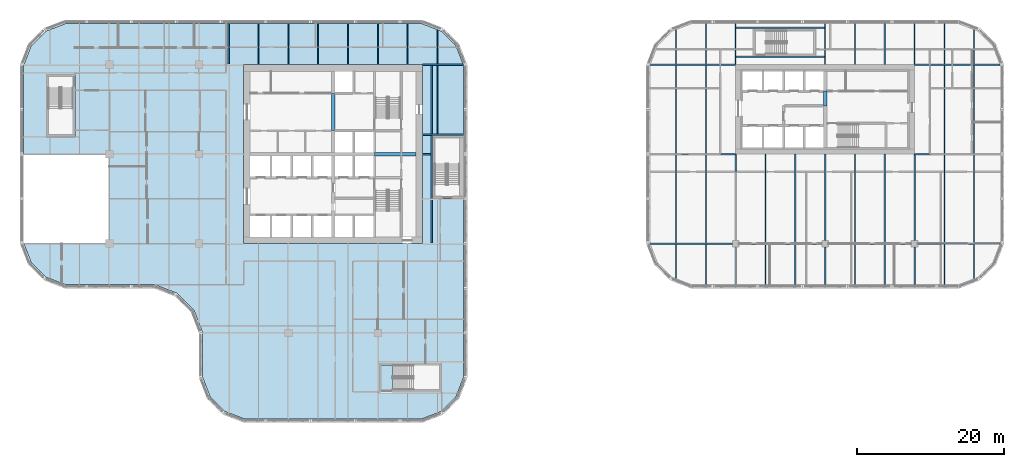
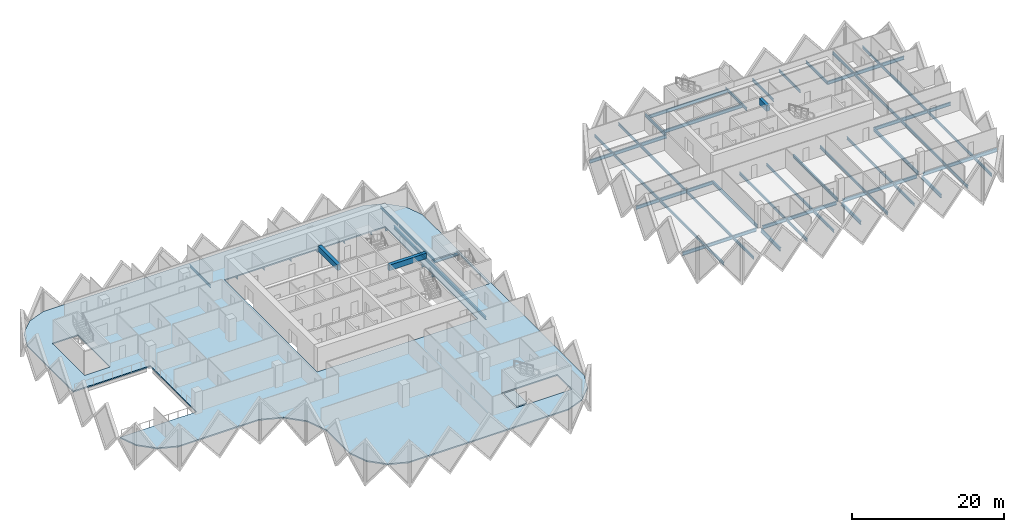
# One storey, part 2 of 18: 61 beams, 2 slabs.
"""IFC4 building model written with IfcOpenShell, lengths in metres."""

from ifc_helpers import new_model, si_unit, direction, frame, origin, origin_2d, place, context, subcontext, project, spatial, polyline, rectangle, i_section, outline, extrude, material, layer, layer_set, material_profile, profile_set, type_object, element, save


model = new_model("IFC4")

# Units and contexts
model_context = context("Model", 3, precision=1e-05, world=origin(), true_north=direction((0.0, 1.0)))
body_context = subcontext(model_context, "Body", "Model", "MODEL_VIEW")
ifc_project = project(units=[si_unit("LENGTHUNIT", "METRE"), si_unit("AREAUNIT", "SQUARE_METRE"), si_unit("VOLUMEUNIT", "CUBIC_METRE"), si_unit("PLANEANGLEUNIT", "RADIAN"), si_unit("MASSUNIT", "GRAM", prefix="KILO")], contexts=[model_context])

# Site, building, storey
site_placement = place(None, origin())
site = spatial("IfcSite", under=ifc_project, at=site_placement, CompositionType="ELEMENT")
building_placement = place(site_placement, origin())
building = spatial("IfcBuilding", under=site, at=building_placement, Name="Tessera Gate Towers", CompositionType="ELEMENT")
storey_placement = place(building_placement, frame((0.0, 0.0, 56.199951171875)))
storey = spatial("IfcBuildingStorey", under=building, at=storey_placement, Name="L13", CompositionType="ELEMENT", Elevation=56.199951171875)

# Beams
ifc_material_1 = material(Name="Concrete C60/75", Category="concrete")
ifc_material_profile_1 = material_profile(ifc_material_1, rectangle(XDim=0.5, YDim=0.89990234375, at=origin_2d()), Name="RC 500x900")
ifc_profile_set_1 = profile_set([ifc_material_profile_1], Name="Concrete C60/75")
beam_type_1 = type_object("IfcBeamType", Name="COUPLING BEAM 500x900 C60/75", PredefinedType="BEAM", material=ifc_profile_set_1)
beam_1_placement = place(storey_placement, frame((109.800048828125, 43.199951171875, 3.150146484375), z_axis=(0.0, 1.0, 0.0), x_axis=(-1.0, 0.0, 0.0)))
element("IfcBeam", 1, at=beam_1_placement, inside=storey, type_object=beam_type_1, Name="L13 coupling beam 1", PredefinedType="BEAM", context=body_context, shape_type="SweptSolid", body=[
    extrude(rectangle(XDim=0.5, YDim=0.89990234375, at=origin_2d()), origin(), (0.0, 0.0, 1.0), 2.0),
])
ifc_material_2 = material(Name="Concrete C70/85", Category="concrete")
ifc_material_profile_2 = material_profile(ifc_material_2, rectangle(XDim=0.5, YDim=0.89990234375, at=origin_2d()), Name="RC 500x900")
ifc_profile_set_2 = profile_set([ifc_material_profile_2], Name="Concrete C70/85")
beam_type_2 = type_object("IfcBeamType", Name="COUPLING BEAM 500x900 C70/85", PredefinedType="BEAM", material=ifc_profile_set_2)
beam_2_placement = place(storey_placement, frame((48.35009765625, 36.60009765625, 3.150146484375), z_axis=(1.0, 0.0, 0.0), x_axis=(0.0, 1.0, 0.0)))
element("IfcBeam", 2, at=beam_2_placement, inside=storey, type_object=beam_type_2, Name="L13 coupling beam 1", PredefinedType="BEAM", context=body_context, shape_type="SweptSolid", body=[
    extrude(rectangle(XDim=0.5, YDim=0.89990234375, at=origin_2d()), origin(), (0.0, 0.0, 1.0), 5.64990234375),
])
beam_3_placement = place(storey_placement, frame((42.699951171875, 39.800048828125, 3.150146484375), z_axis=(0.0, 1.0, 0.0), x_axis=(-1.0, 0.0, 0.0)))
element("IfcBeam", 3, at=beam_3_placement, inside=storey, type_object=beam_type_2, Name="L13 coupling beam 2", PredefinedType="BEAM", context=body_context, shape_type="SweptSolid", body=[
    extrude(rectangle(XDim=0.5, YDim=0.89990234375, at=origin_2d()), origin(), (0.0, 0.0, 1.0), 5.099853515625),
])
ifc_material_3 = material(Name="Steel 350W", Category="steel")
ifc_material_profile_3 = material_profile(ifc_material_3, i_section(OverallWidth=0.208984375, OverallDepth=0.532958984375, WebThickness=0.01025390625, FlangeThickness=0.015625, at=origin_2d()), Name="W530x92")
ifc_profile_set_3 = profile_set([ifc_material_profile_3], Name="Steel 350W")
beam_type_3 = type_object("IfcBeamType", Name="FLOOR GIRDER W530x92", PredefinedType="BEAM", material=ifc_profile_set_3)
beam_4_placement = place(storey_placement, frame((54.89892578125, 36.60009765625, -0.466552734375), z_axis=(1.0, 0.0, 0.0), x_axis=(0.0, 1.0, 0.0)))
element("IfcBeam", 4, at=beam_4_placement, inside=storey, type_object=beam_type_3, Name="T1-GD-L13-1881", PredefinedType="BEAM", context=body_context, shape_type="SweptSolid", body=[
    extrude(i_section(OverallWidth=0.208984375, OverallDepth=0.532958984375, WebThickness=0.01025390625, FlangeThickness=0.015625, at=origin_2d()), origin(), (0.0, 0.0, 1.0), 1.176513671875),
])
beam_5_placement = place(storey_placement, frame((54.90087890625, 48.800048828125, -0.466552734375), z_axis=(1.0, 0.0, 0.0), x_axis=(0.0, 1.0, 0.0)))
element("IfcBeam", 5, at=beam_5_placement, inside=storey, type_object=beam_type_3, Name="T1-GD-L13-1885", PredefinedType="BEAM", context=body_context, shape_type="SweptSolid", body=[
    extrude(i_section(OverallWidth=0.208984375, OverallDepth=0.532958984375, WebThickness=0.01025390625, FlangeThickness=0.015625, at=origin_2d()), origin(), (0.0, 0.0, 1.0), 5.564208984375),
])
beam_6_placement = place(storey_placement, frame((54.89892578125, 39.219970703125, -0.466552734375), z_axis=(1.0, 0.0, 0.0), x_axis=(0.0, 1.0, 0.0)))
element("IfcBeam", 6, at=beam_6_placement, inside=storey, type_object=beam_type_3, Name="T1-GD-L13-1903", PredefinedType="BEAM", context=body_context, shape_type="SweptSolid", body=[
    extrude(i_section(OverallWidth=0.208984375, OverallDepth=0.532958984375, WebThickness=0.01025390625, FlangeThickness=0.015625, at=origin_2d()), origin(), (0.0, 0.0, 1.0), 5.60205078125),
])
beam_7_placement = place(storey_placement, frame((56.179931640625, 24.50439453125, -0.466552734375), z_axis=(0.0, 1.0, 0.0), x_axis=(-1.0, 0.0, 0.0)))
element("IfcBeam", 7, at=beam_7_placement, inside=storey, type_object=beam_type_3, Name="T1-GD-L13-1904", PredefinedType="BEAM", context=body_context, shape_type="SweptSolid", body=[
    extrude(i_section(OverallWidth=0.208984375, OverallDepth=0.532958984375, WebThickness=0.01025390625, FlangeThickness=0.015625, at=origin_2d()), origin(), (0.0, 0.0, 1.0), 24.191162109375),
])
beam_8_placement = place(storey_placement, frame((85.934814453125, 24.39990234375, -0.466552734375), z_axis=(1.0, 0.0, 0.0), x_axis=(0.0, 1.0, 0.0)))
element("IfcBeam", 8, at=beam_8_placement, inside=storey, type_object=beam_type_3, Name="T2-GD-L13-1945", PredefinedType="BEAM", context=body_context, shape_type="SweptSolid", body=[
    extrude(i_section(OverallWidth=0.208984375, OverallDepth=0.532958984375, WebThickness=0.01025390625, FlangeThickness=0.015625, at=origin_2d()), origin(), (0.0, 0.0, 1.0), 11.215087890625),
])
for number, where, z_axis, x_axis, name in (
    (9, (98.050048828125, 24.39990234375, -0.466552734375), (1.0, 0.0, 0.0), (0.0, 1.0, 0.0), "T2-GD-L13-1946"),
    (10, (110.25, 24.39990234375, -0.466552734375), (1.0, 0.0, 0.0), (0.0, 1.0, 0.0), "T2-GD-L13-1947"),
):
    element("IfcBeam", number, at=place(storey_placement, frame(where, z_axis=z_axis, x_axis=x_axis)), inside=storey, type_object=beam_type_3, Name=name, PredefinedType="BEAM", context=body_context, shape_type="SweptSolid", body=[
        extrude(i_section(OverallWidth=0.208984375, OverallDepth=0.532958984375, WebThickness=0.01025390625, FlangeThickness=0.015625, at=origin_2d()), origin(), (0.0, 0.0, 1.0), 11.300048828125),
    ])
beam_9_placement = place(storey_placement, frame((122.449951171875, 24.39990234375, -0.466552734375), z_axis=(1.0, 0.0, 0.0), x_axis=(0.0, 1.0, 0.0)))
element("IfcBeam", 11, at=beam_9_placement, inside=storey, type_object=beam_type_3, Name="T2-GD-L13-1948", PredefinedType="BEAM", context=body_context, shape_type="SweptSolid", body=[
    extrude(i_section(OverallWidth=0.208984375, OverallDepth=0.532958984375, WebThickness=0.01025390625, FlangeThickness=0.015625, at=origin_2d()), origin(), (0.0, 0.0, 1.0), 11.21533203125),
])
beam_10_placement = place(storey_placement, frame((85.89892578125, 36.60009765625, -0.466552734375), z_axis=(1.0, 0.0, 0.0), x_axis=(0.0, 1.0, 0.0)))
element("IfcBeam", 12, at=beam_10_placement, inside=storey, type_object=beam_type_3, Name="T2-GD-L13-1949", PredefinedType="BEAM", context=body_context, shape_type="SweptSolid", body=[
    extrude(i_section(OverallWidth=0.208984375, OverallDepth=0.532958984375, WebThickness=0.01025390625, FlangeThickness=0.015625, at=origin_2d()), origin(), (0.0, 0.0, 1.0), 11.7001953125),
])
beam_11_placement = place(storey_placement, frame((122.0009765625, 36.60009765625, -0.466552734375), z_axis=(1.0, 0.0, 0.0), x_axis=(0.0, 1.0, 0.0)))
element("IfcBeam", 13, at=beam_11_placement, inside=storey, type_object=beam_type_3, Name="T2-GD-L13-1950", PredefinedType="BEAM", context=body_context, shape_type="SweptSolid", body=[
    extrude(i_section(OverallWidth=0.208984375, OverallDepth=0.532958984375, WebThickness=0.01025390625, FlangeThickness=0.015625, at=origin_2d()), origin(), (0.0, 0.0, 1.0), 11.699951171875),
])
for number, where, z_axis, x_axis, name in (
    (14, (85.934814453125, 48.800048828125, -0.466552734375), (1.0, 0.0, 0.0), (0.0, 1.0, 0.0), "T2-GD-L13-1951"),
    (15, (122.0009765625, 48.800048828125, -0.466552734375), (1.0, 0.0, 0.0), (0.0, 1.0, 0.0), "T2-GD-L13-1952"),
):
    element("IfcBeam", number, at=place(storey_placement, frame(where, z_axis=z_axis, x_axis=x_axis)), inside=storey, type_object=beam_type_3, Name=name, PredefinedType="BEAM", context=body_context, shape_type="SweptSolid", body=[
        extrude(i_section(OverallWidth=0.208984375, OverallDepth=0.532958984375, WebThickness=0.01025390625, FlangeThickness=0.015625, at=origin_2d()), origin(), (0.0, 0.0, 1.0), 11.664306640625),
    ])
beam_12_placement = place(storey_placement, frame((97.60009765625, 18.799072265625, -0.466552734375), z_axis=(0.0, 1.0, 0.0), x_axis=(-1.0, 0.0, 0.0)))
element("IfcBeam", 16, at=beam_12_placement, inside=storey, type_object=beam_type_3, Name="T2-GD-L13-1953", PredefinedType="BEAM", context=body_context, shape_type="SweptSolid", body=[
    extrude(i_section(OverallWidth=0.208984375, OverallDepth=0.532958984375, WebThickness=0.01025390625, FlangeThickness=0.015625, at=origin_2d()), origin(), (0.0, 0.0, 1.0), 5.15087890625),
])
beam_13_placement = place(storey_placement, frame((97.60009765625, 24.85009765625, -0.466552734375), z_axis=(0.0, 1.0, 0.0), x_axis=(-1.0, 0.0, 0.0)))
element("IfcBeam", 17, at=beam_13_placement, inside=storey, type_object=beam_type_3, Name="T2-GD-L13-1954", PredefinedType="BEAM", context=body_context, shape_type="SweptSolid", body=[
    extrude(i_section(OverallWidth=0.208984375, OverallDepth=0.532958984375, WebThickness=0.01025390625, FlangeThickness=0.015625, at=origin_2d()), origin(), (0.0, 0.0, 1.0), 11.75),
])
beam_14_placement = place(storey_placement, frame((109.800048828125, 18.799072265625, -0.466552734375), z_axis=(0.0, 1.0, 0.0), x_axis=(-1.0, 0.0, 0.0)))
element("IfcBeam", 18, at=beam_14_placement, inside=storey, type_object=beam_type_3, Name="T2-GD-L13-1955", PredefinedType="BEAM", context=body_context, shape_type="SweptSolid", body=[
    extrude(i_section(OverallWidth=0.208984375, OverallDepth=0.532958984375, WebThickness=0.01025390625, FlangeThickness=0.015625, at=origin_2d()), origin(), (0.0, 0.0, 1.0), 5.15087890625),
])
beam_15_placement = place(storey_placement, frame((109.800048828125, 24.85009765625, -0.466552734375), z_axis=(0.0, 1.0, 0.0), x_axis=(-1.0, 0.0, 0.0)))
element("IfcBeam", 19, at=beam_15_placement, inside=storey, type_object=beam_type_3, Name="T2-GD-L13-1956", PredefinedType="BEAM", context=body_context, shape_type="SweptSolid", body=[
    extrude(i_section(OverallWidth=0.208984375, OverallDepth=0.532958984375, WebThickness=0.01025390625, FlangeThickness=0.015625, at=origin_2d()), origin(), (0.0, 0.0, 1.0), 11.75),
])
beam_16_placement = place(storey_placement, frame((122.0, 18.799072265625, -0.466552734375), z_axis=(0.0, 1.0, 0.0), x_axis=(-1.0, 0.0, 0.0)))
element("IfcBeam", 20, at=beam_16_placement, inside=storey, type_object=beam_type_3, Name="T2-GD-L13-1957", PredefinedType="BEAM", context=body_context, shape_type="SweptSolid", body=[
    extrude(i_section(OverallWidth=0.208984375, OverallDepth=0.532958984375, WebThickness=0.01025390625, FlangeThickness=0.015625, at=origin_2d()), origin(), (0.0, 0.0, 1.0), 5.15087890625),
])
beam_17_placement = place(storey_placement, frame((122.0, 24.85009765625, -0.466552734375), z_axis=(0.0, 1.0, 0.0), x_axis=(-1.0, 0.0, 0.0)))
element("IfcBeam", 21, at=beam_17_placement, inside=storey, type_object=beam_type_3, Name="T2-GD-L13-1958", PredefinedType="BEAM", context=body_context, shape_type="SweptSolid", body=[
    extrude(i_section(OverallWidth=0.208984375, OverallDepth=0.532958984375, WebThickness=0.01025390625, FlangeThickness=0.015625, at=origin_2d()), origin(), (0.0, 0.0, 1.0), 11.75),
])
for number, where, z_axis, x_axis, name in (
    (22, (97.676513671875, 49.8798828125, -0.466552734375), (1.0, 0.0, 0.0), (0.0, 1.0, 0.0), "T2-GD-L13-1959"),
    (23, (97.676513671875, 53.820068359375, -0.466552734375), (1.0, 0.0, 0.0), (0.0, 1.0, 0.0), "T2-GD-L13-1960"),
):
    element("IfcBeam", number, at=place(storey_placement, frame(where, z_axis=z_axis, x_axis=x_axis)), inside=storey, type_object=beam_type_3, Name=name, PredefinedType="BEAM", context=body_context, shape_type="SweptSolid", body=[
        extrude(i_section(OverallWidth=0.208984375, OverallDepth=0.532958984375, WebThickness=0.01025390625, FlangeThickness=0.015625, at=origin_2d()), origin(), (0.0, 0.0, 1.0), 12.046875),
    ])
ifc_material_4 = material(Name="Steel 350W", Category="steel")
ifc_material_profile_4 = material_profile(ifc_material_4, i_section(OverallWidth=0.153076171875, OverallDepth=0.455078125, WebThickness=0.008056640625, FlangeThickness=0.01318359375, at=origin_2d()), Name="W460x60")
ifc_profile_set_4 = profile_set([ifc_material_profile_4], Name="Steel 350W")
beam_type_4 = type_object("IfcBeamType", Name="FLOOR SECONDARY W460x60", PredefinedType="BEAM", material=ifc_profile_set_4)
beam_18_placement = place(storey_placement, frame((28.466796875, 48.904541015625, -0.427490234375), z_axis=(0.0, 1.0, 0.0), x_axis=(-1.0, 0.0, 0.0)))
element("IfcBeam", 24, at=beam_18_placement, inside=storey, type_object=beam_type_4, Name="T1-BM-L13-1923", PredefinedType="BEAM", context=body_context, shape_type="SweptSolid", body=[
    extrude(i_section(OverallWidth=0.153076171875, OverallDepth=0.455078125, WebThickness=0.008056640625, FlangeThickness=0.01318359375, at=origin_2d()), origin(), (0.0, 0.0, 1.0), 5.495361328125),
])
for number, where, z_axis, x_axis, name in (
    (25, (32.533203125, 48.800048828125, -0.427490234375), (0.0, 1.0, 0.0), (-1.0, 0.0, 0.0), "T1-BM-L13-1926"),
    (26, (36.60009765625, 48.800048828125, -0.427490234375), (0.0, 1.0, 0.0), (-1.0, 0.0, 0.0), "T1-BM-L13-1927"),
    (27, (40.666748046875, 48.800048828125, -0.427490234375), (0.0, 1.0, 0.0), (-1.0, 0.0, 0.0), "T1-BM-L13-1930"),
    (28, (44.7333984375, 48.800048828125, -0.427490234375), (0.0, 1.0, 0.0), (-1.0, 0.0, 0.0), "T1-BM-L13-1933"),
    (29, (48.800048828125, 48.800048828125, -0.427490234375), (0.0, 1.0, 0.0), (-1.0, 0.0, 0.0), "T1-BM-L13-1934"),
    (30, (52.86669921875, 48.800048828125, -0.427490234375), (0.0, 1.0, 0.0), (-1.0, 0.0, 0.0), "T1-BM-L13-1938"),
):
    element("IfcBeam", number, at=place(storey_placement, frame(where, z_axis=z_axis, x_axis=x_axis)), inside=storey, type_object=beam_type_4, Name=name, PredefinedType="BEAM", context=body_context, shape_type="SweptSolid", body=[
        extrude(i_section(OverallWidth=0.153076171875, OverallDepth=0.455078125, WebThickness=0.008056640625, FlangeThickness=0.01318359375, at=origin_2d()), origin(), (0.0, 0.0, 1.0), 5.599853515625),
    ])
beam_19_placement = place(storey_placement, frame((56.933349609375, 39.324462890625, -0.427490234375), z_axis=(0.0, 1.0, 0.0), x_axis=(-1.0, 0.0, 0.0)))
element("IfcBeam", 31, at=beam_19_placement, inside=storey, type_object=beam_type_4, Name="T1-BM-L13-1943", PredefinedType="BEAM", context=body_context, shape_type="SweptSolid", body=[
    extrude(i_section(OverallWidth=0.153076171875, OverallDepth=0.455078125, WebThickness=0.008056640625, FlangeThickness=0.01318359375, at=origin_2d()), origin(), (0.0, 0.0, 1.0), 9.37109375),
])
for number, where, z_axis, x_axis, name in (
    (32, (56.933349609375, 48.904541015625, -0.427490234375), (0.0, 1.0, 0.0), (-1.0, 0.0, 0.0), "T1-BM-L13-1944"),
    (33, (89.466796875, 19.620361328125, -0.427490234375), (0.0, 1.0, 0.0), (-1.0, 0.0, 0.0), "T2-BM-L13-1961"),
):
    element("IfcBeam", number, at=place(storey_placement, frame(where, z_axis=z_axis, x_axis=x_axis)), inside=storey, type_object=beam_type_4, Name=name, PredefinedType="BEAM", context=body_context, shape_type="SweptSolid", body=[
        extrude(i_section(OverallWidth=0.153076171875, OverallDepth=0.455078125, WebThickness=0.008056640625, FlangeThickness=0.01318359375, at=origin_2d()), origin(), (0.0, 0.0, 1.0), 4.675048828125),
    ])
beam_20_placement = place(storey_placement, frame((89.466796875, 24.50439453125, -0.427490234375), z_axis=(0.0, 1.0, 0.0), x_axis=(-1.0, 0.0, 0.0)))
element("IfcBeam", 34, at=beam_20_placement, inside=storey, type_object=beam_type_4, Name="T2-BM-L13-1962", PredefinedType="BEAM", context=body_context, shape_type="SweptSolid", body=[
    extrude(i_section(OverallWidth=0.153076171875, OverallDepth=0.455078125, WebThickness=0.008056640625, FlangeThickness=0.01318359375, at=origin_2d()), origin(), (0.0, 0.0, 1.0), 11.9912109375),
])
beam_21_placement = place(storey_placement, frame((89.466796875, 36.70458984375, -0.427490234375), z_axis=(0.0, 1.0, 0.0), x_axis=(-1.0, 0.0, 0.0)))
element("IfcBeam", 35, at=beam_21_placement, inside=storey, type_object=beam_type_4, Name="T2-BM-L13-1963", PredefinedType="BEAM", context=body_context, shape_type="SweptSolid", body=[
    extrude(i_section(OverallWidth=0.153076171875, OverallDepth=0.455078125, WebThickness=0.008056640625, FlangeThickness=0.01318359375, at=origin_2d()), origin(), (0.0, 0.0, 1.0), 11.990966796875),
])
beam_22_placement = place(storey_placement, frame((89.466796875, 48.904541015625, -0.427490234375), z_axis=(0.0, 1.0, 0.0), x_axis=(-1.0, 0.0, 0.0)))
element("IfcBeam", 36, at=beam_22_placement, inside=storey, type_object=beam_type_4, Name="T2-BM-L13-1964", PredefinedType="BEAM", context=body_context, shape_type="SweptSolid", body=[
    extrude(i_section(OverallWidth=0.153076171875, OverallDepth=0.455078125, WebThickness=0.008056640625, FlangeThickness=0.01318359375, at=origin_2d()), origin(), (0.0, 0.0, 1.0), 4.675048828125),
])
beam_23_placement = place(storey_placement, frame((93.533203125, 18.800048828125, -0.427490234375), z_axis=(0.0, 1.0, 0.0), x_axis=(-1.0, 0.0, 0.0)))
element("IfcBeam", 37, at=beam_23_placement, inside=storey, type_object=beam_type_4, Name="T2-BM-L13-1965", PredefinedType="BEAM", context=body_context, shape_type="SweptSolid", body=[
    extrude(i_section(OverallWidth=0.153076171875, OverallDepth=0.455078125, WebThickness=0.008056640625, FlangeThickness=0.01318359375, at=origin_2d()), origin(), (0.0, 0.0, 1.0), 5.495361328125),
])
beam_24_placement = place(storey_placement, frame((93.533203125, 24.50439453125, -0.427490234375), z_axis=(0.0, 1.0, 0.0), x_axis=(-1.0, 0.0, 0.0)))
element("IfcBeam", 38, at=beam_24_placement, inside=storey, type_object=beam_type_4, Name="T2-BM-L13-1966", PredefinedType="BEAM", context=body_context, shape_type="SweptSolid", body=[
    extrude(i_section(OverallWidth=0.153076171875, OverallDepth=0.455078125, WebThickness=0.008056640625, FlangeThickness=0.01318359375, at=origin_2d()), origin(), (0.0, 0.0, 1.0), 11.9912109375),
])
beam_25_placement = place(storey_placement, frame((93.533203125, 36.70458984375, -0.427490234375), z_axis=(0.0, 1.0, 0.0), x_axis=(-1.0, 0.0, 0.0)))
element("IfcBeam", 39, at=beam_25_placement, inside=storey, type_object=beam_type_4, Name="T2-BM-L13-1967", PredefinedType="BEAM", context=body_context, shape_type="SweptSolid", body=[
    extrude(i_section(OverallWidth=0.153076171875, OverallDepth=0.455078125, WebThickness=0.008056640625, FlangeThickness=0.01318359375, at=origin_2d()), origin(), (0.0, 0.0, 1.0), 11.990966796875),
])
beam_26_placement = place(storey_placement, frame((93.533203125, 48.904541015625, -0.427490234375), z_axis=(0.0, 1.0, 0.0), x_axis=(-1.0, 0.0, 0.0)))
element("IfcBeam", 40, at=beam_26_placement, inside=storey, type_object=beam_type_4, Name="T2-BM-L13-1968", PredefinedType="BEAM", context=body_context, shape_type="SweptSolid", body=[
    extrude(i_section(OverallWidth=0.153076171875, OverallDepth=0.455078125, WebThickness=0.008056640625, FlangeThickness=0.01318359375, at=origin_2d()), origin(), (0.0, 0.0, 1.0), 5.495361328125),
])
beam_27_placement = place(storey_placement, frame((97.60009765625, 48.800048828125, -0.427490234375), z_axis=(0.0, 1.0, 0.0), x_axis=(-1.0, 0.0, 0.0)))
element("IfcBeam", 41, at=beam_27_placement, inside=storey, type_object=beam_type_4, Name="T2-BM-L13-1969", PredefinedType="BEAM", context=body_context, shape_type="SweptSolid", body=[
    extrude(i_section(OverallWidth=0.153076171875, OverallDepth=0.455078125, WebThickness=0.008056640625, FlangeThickness=0.01318359375, at=origin_2d()), origin(), (0.0, 0.0, 1.0), 5.599853515625),
])
beam_28_placement = place(storey_placement, frame((101.666748046875, 18.800048828125, -0.427490234375), z_axis=(0.0, 1.0, 0.0), x_axis=(-1.0, 0.0, 0.0)))
element("IfcBeam", 42, at=beam_28_placement, inside=storey, type_object=beam_type_4, Name="T2-BM-L13-1970", PredefinedType="BEAM", context=body_context, shape_type="SweptSolid", body=[
    extrude(i_section(OverallWidth=0.153076171875, OverallDepth=0.455078125, WebThickness=0.008056640625, FlangeThickness=0.01318359375, at=origin_2d()), origin(), (0.0, 0.0, 1.0), 5.495361328125),
])
beam_29_placement = place(storey_placement, frame((101.666748046875, 24.50439453125, -0.427490234375), z_axis=(0.0, 1.0, 0.0), x_axis=(-1.0, 0.0, 0.0)))
element("IfcBeam", 43, at=beam_29_placement, inside=storey, type_object=beam_type_4, Name="T2-BM-L13-1971", PredefinedType="BEAM", context=body_context, shape_type="SweptSolid", body=[
    extrude(i_section(OverallWidth=0.153076171875, OverallDepth=0.455078125, WebThickness=0.008056640625, FlangeThickness=0.01318359375, at=origin_2d()), origin(), (0.0, 0.0, 1.0), 12.095703125),
])
beam_30_placement = place(storey_placement, frame((105.7333984375, 18.800048828125, -0.427490234375), z_axis=(0.0, 1.0, 0.0), x_axis=(-1.0, 0.0, 0.0)))
element("IfcBeam", 44, at=beam_30_placement, inside=storey, type_object=beam_type_4, Name="T2-BM-L13-1972", PredefinedType="BEAM", context=body_context, shape_type="SweptSolid", body=[
    extrude(i_section(OverallWidth=0.153076171875, OverallDepth=0.455078125, WebThickness=0.008056640625, FlangeThickness=0.01318359375, at=origin_2d()), origin(), (0.0, 0.0, 1.0), 5.495361328125),
])
beam_31_placement = place(storey_placement, frame((105.7333984375, 24.50439453125, -0.427490234375), z_axis=(0.0, 1.0, 0.0), x_axis=(-1.0, 0.0, 0.0)))
element("IfcBeam", 45, at=beam_31_placement, inside=storey, type_object=beam_type_4, Name="T2-BM-L13-1973", PredefinedType="BEAM", context=body_context, shape_type="SweptSolid", body=[
    extrude(i_section(OverallWidth=0.153076171875, OverallDepth=0.455078125, WebThickness=0.008056640625, FlangeThickness=0.01318359375, at=origin_2d()), origin(), (0.0, 0.0, 1.0), 12.095703125),
])
beam_32_placement = place(storey_placement, frame((109.800048828125, 48.800048828125, -0.427490234375), z_axis=(0.0, 1.0, 0.0), x_axis=(-1.0, 0.0, 0.0)))
element("IfcBeam", 46, at=beam_32_placement, inside=storey, type_object=beam_type_4, Name="T2-BM-L13-1974", PredefinedType="BEAM", context=body_context, shape_type="SweptSolid", body=[
    extrude(i_section(OverallWidth=0.153076171875, OverallDepth=0.455078125, WebThickness=0.008056640625, FlangeThickness=0.01318359375, at=origin_2d()), origin(), (0.0, 0.0, 1.0), 5.599853515625),
])
beam_33_placement = place(storey_placement, frame((113.86669921875, 18.800048828125, -0.427490234375), z_axis=(0.0, 1.0, 0.0), x_axis=(-1.0, 0.0, 0.0)))
element("IfcBeam", 47, at=beam_33_placement, inside=storey, type_object=beam_type_4, Name="T2-BM-L13-1975", PredefinedType="BEAM", context=body_context, shape_type="SweptSolid", body=[
    extrude(i_section(OverallWidth=0.153076171875, OverallDepth=0.455078125, WebThickness=0.008056640625, FlangeThickness=0.01318359375, at=origin_2d()), origin(), (0.0, 0.0, 1.0), 5.495361328125),
])
beam_34_placement = place(storey_placement, frame((113.86669921875, 24.50439453125, -0.427490234375), z_axis=(0.0, 1.0, 0.0), x_axis=(-1.0, 0.0, 0.0)))
element("IfcBeam", 48, at=beam_34_placement, inside=storey, type_object=beam_type_4, Name="T2-BM-L13-1976", PredefinedType="BEAM", context=body_context, shape_type="SweptSolid", body=[
    extrude(i_section(OverallWidth=0.153076171875, OverallDepth=0.455078125, WebThickness=0.008056640625, FlangeThickness=0.01318359375, at=origin_2d()), origin(), (0.0, 0.0, 1.0), 12.095703125),
])
beam_35_placement = place(storey_placement, frame((113.86669921875, 48.800048828125, -0.427490234375), z_axis=(0.0, 1.0, 0.0), x_axis=(-1.0, 0.0, 0.0)))
element("IfcBeam", 49, at=beam_35_placement, inside=storey, type_object=beam_type_4, Name="T2-BM-L13-1977", PredefinedType="BEAM", context=body_context, shape_type="SweptSolid", body=[
    extrude(i_section(OverallWidth=0.153076171875, OverallDepth=0.455078125, WebThickness=0.008056640625, FlangeThickness=0.01318359375, at=origin_2d()), origin(), (0.0, 0.0, 1.0), 5.599853515625),
])
beam_36_placement = place(storey_placement, frame((117.933349609375, 18.800048828125, -0.427490234375), z_axis=(0.0, 1.0, 0.0), x_axis=(-1.0, 0.0, 0.0)))
element("IfcBeam", 50, at=beam_36_placement, inside=storey, type_object=beam_type_4, Name="T2-BM-L13-1978", PredefinedType="BEAM", context=body_context, shape_type="SweptSolid", body=[
    extrude(i_section(OverallWidth=0.153076171875, OverallDepth=0.455078125, WebThickness=0.008056640625, FlangeThickness=0.01318359375, at=origin_2d()), origin(), (0.0, 0.0, 1.0), 5.495361328125),
])
beam_37_placement = place(storey_placement, frame((117.933349609375, 24.50439453125, -0.427490234375), z_axis=(0.0, 1.0, 0.0), x_axis=(-1.0, 0.0, 0.0)))
element("IfcBeam", 51, at=beam_37_placement, inside=storey, type_object=beam_type_4, Name="T2-BM-L13-1979", PredefinedType="BEAM", context=body_context, shape_type="SweptSolid", body=[
    extrude(i_section(OverallWidth=0.153076171875, OverallDepth=0.455078125, WebThickness=0.008056640625, FlangeThickness=0.01318359375, at=origin_2d()), origin(), (0.0, 0.0, 1.0), 12.095703125),
])
for number, where, z_axis, x_axis, name in (
    (52, (117.933349609375, 48.800048828125, -0.427490234375), (0.0, 1.0, 0.0), (-1.0, 0.0, 0.0), "T2-BM-L13-1980"),
    (53, (122.0, 48.800048828125, -0.427490234375), (0.0, 1.0, 0.0), (-1.0, 0.0, 0.0), "T2-BM-L13-1981"),
):
    element("IfcBeam", number, at=place(storey_placement, frame(where, z_axis=z_axis, x_axis=x_axis)), inside=storey, type_object=beam_type_4, Name=name, PredefinedType="BEAM", context=body_context, shape_type="SweptSolid", body=[
        extrude(i_section(OverallWidth=0.153076171875, OverallDepth=0.455078125, WebThickness=0.008056640625, FlangeThickness=0.01318359375, at=origin_2d()), origin(), (0.0, 0.0, 1.0), 5.599853515625),
    ])
beam_38_placement = place(storey_placement, frame((126.066650390625, 18.800048828125, -0.427490234375), z_axis=(0.0, 1.0, 0.0), x_axis=(-1.0, 0.0, 0.0)))
element("IfcBeam", 54, at=beam_38_placement, inside=storey, type_object=beam_type_4, Name="T2-BM-L13-1982", PredefinedType="BEAM", context=body_context, shape_type="SweptSolid", body=[
    extrude(i_section(OverallWidth=0.153076171875, OverallDepth=0.455078125, WebThickness=0.008056640625, FlangeThickness=0.01318359375, at=origin_2d()), origin(), (0.0, 0.0, 1.0), 5.495361328125),
])
beam_39_placement = place(storey_placement, frame((126.066650390625, 24.50439453125, -0.427490234375), z_axis=(0.0, 1.0, 0.0), x_axis=(-1.0, 0.0, 0.0)))
element("IfcBeam", 55, at=beam_39_placement, inside=storey, type_object=beam_type_4, Name="T2-BM-L13-1983", PredefinedType="BEAM", context=body_context, shape_type="SweptSolid", body=[
    extrude(i_section(OverallWidth=0.153076171875, OverallDepth=0.455078125, WebThickness=0.008056640625, FlangeThickness=0.01318359375, at=origin_2d()), origin(), (0.0, 0.0, 1.0), 11.9912109375),
])
beam_40_placement = place(storey_placement, frame((126.066650390625, 36.70458984375, -0.427490234375), z_axis=(0.0, 1.0, 0.0), x_axis=(-1.0, 0.0, 0.0)))
element("IfcBeam", 56, at=beam_40_placement, inside=storey, type_object=beam_type_4, Name="T2-BM-L13-1984", PredefinedType="BEAM", context=body_context, shape_type="SweptSolid", body=[
    extrude(i_section(OverallWidth=0.153076171875, OverallDepth=0.455078125, WebThickness=0.008056640625, FlangeThickness=0.01318359375, at=origin_2d()), origin(), (0.0, 0.0, 1.0), 11.990966796875),
])
beam_41_placement = place(storey_placement, frame((126.066650390625, 48.904541015625, -0.427490234375), z_axis=(0.0, 1.0, 0.0), x_axis=(-1.0, 0.0, 0.0)))
element("IfcBeam", 57, at=beam_41_placement, inside=storey, type_object=beam_type_4, Name="T2-BM-L13-1985", PredefinedType="BEAM", context=body_context, shape_type="SweptSolid", body=[
    extrude(i_section(OverallWidth=0.153076171875, OverallDepth=0.455078125, WebThickness=0.008056640625, FlangeThickness=0.01318359375, at=origin_2d()), origin(), (0.0, 0.0, 1.0), 5.495361328125),
])
beam_42_placement = place(storey_placement, frame((130.13330078125, 19.620361328125, -0.427490234375), z_axis=(0.0, 1.0, 0.0), x_axis=(-1.0, 0.0, 0.0)))
element("IfcBeam", 58, at=beam_42_placement, inside=storey, type_object=beam_type_4, Name="T2-BM-L13-1986", PredefinedType="BEAM", context=body_context, shape_type="SweptSolid", body=[
    extrude(i_section(OverallWidth=0.153076171875, OverallDepth=0.455078125, WebThickness=0.008056640625, FlangeThickness=0.01318359375, at=origin_2d()), origin(), (0.0, 0.0, 1.0), 4.675048828125),
])
beam_43_placement = place(storey_placement, frame((130.13330078125, 24.50439453125, -0.427490234375), z_axis=(0.0, 1.0, 0.0), x_axis=(-1.0, 0.0, 0.0)))
element("IfcBeam", 59, at=beam_43_placement, inside=storey, type_object=beam_type_4, Name="T2-BM-L13-1987", PredefinedType="BEAM", context=body_context, shape_type="SweptSolid", body=[
    extrude(i_section(OverallWidth=0.153076171875, OverallDepth=0.455078125, WebThickness=0.008056640625, FlangeThickness=0.01318359375, at=origin_2d()), origin(), (0.0, 0.0, 1.0), 11.9912109375),
])
beam_44_placement = place(storey_placement, frame((130.13330078125, 36.70458984375, -0.427490234375), z_axis=(0.0, 1.0, 0.0), x_axis=(-1.0, 0.0, 0.0)))
element("IfcBeam", 60, at=beam_44_placement, inside=storey, type_object=beam_type_4, Name="T2-BM-L13-1988", PredefinedType="BEAM", context=body_context, shape_type="SweptSolid", body=[
    extrude(i_section(OverallWidth=0.153076171875, OverallDepth=0.455078125, WebThickness=0.008056640625, FlangeThickness=0.01318359375, at=origin_2d()), origin(), (0.0, 0.0, 1.0), 11.990966796875),
])
beam_45_placement = place(storey_placement, frame((130.13330078125, 48.904541015625, -0.427490234375), z_axis=(0.0, 1.0, 0.0), x_axis=(-1.0, 0.0, 0.0)))
element("IfcBeam", 61, at=beam_45_placement, inside=storey, type_object=beam_type_4, Name="T2-BM-L13-1989", PredefinedType="BEAM", context=body_context, shape_type="SweptSolid", body=[
    extrude(i_section(OverallWidth=0.153076171875, OverallDepth=0.455078125, WebThickness=0.008056640625, FlangeThickness=0.01318359375, at=origin_2d()), origin(), (0.0, 0.0, 1.0), 4.675048828125),
])

# Slabs
ifc_material_5 = material(Name="Concrete C35/45", Category="concrete")
ifc_layer_1 = layer(ifc_material_5, 0.199951171875)
ifc_layer_set_1 = layer_set([ifc_layer_1], Name="COMPOSITE FLOOR 200")
slab_type_1 = type_object("IfcSlabType", Name="COMPOSITE FLOOR 200", PredefinedType="FLOOR", material=ifc_layer_set_1)
slab_1_placement = place(storey_placement, frame((0.0, 0.0, -0.199951171875)))
element("IfcSlab", 62, at=slab_1_placement, inside=storey, type_object=slab_type_1, Name="T1-L13", PredefinedType="FLOOR", context=body_context, shape_type="SweptSolid", body=[
    extrude(outline(polyline([(0.5, 36.60009765625), (12.199951171875, 36.60009765625), (12.199951171875, 24.39990234375), (0.535888671875, 24.39990234375), (1.526123046875, 21.8330078125), (3.533203125, 19.826171875), (6.193115234375, 18.800048828125), (18.39306640625, 18.800048828125), (21.42431640625, 17.630615234375), (23.730712890625, 15.32421875), (24.89990234375, 12.293212890625), (24.89990234375, 6.193115234375), (25.926025390625, 3.533203125), (27.93310546875, 1.526123046875), (30.593017578125, 0.5), (54.806884765625, 0.5), (57.466796875, 1.526123046875), (59.473876953125, 3.533203125), (60.5, 6.193115234375), (60.5, 48.706787109375), (59.473876953125, 51.366943359375), (57.466796875, 53.373779296875), (54.806884765625, 54.39990234375), (6.193115234375, 54.39990234375), (3.533203125, 53.373779296875), (1.526123046875, 51.366943359375), (0.5, 48.706787109375), (0.5, 36.60009765625)]), holes=[polyline([(3.60009765625, 39.0), (3.60009765625, 47.5), (7.5, 47.5), (7.5, 39.0), (3.60009765625, 39.0)]), polyline([(30.5, 24.39990234375), (30.5, 48.800048828125), (54.89990234375, 48.800048828125), (54.89990234375, 24.39990234375), (30.5, 24.39990234375)]), polyline([(49.0, 4.199951171875), (49.0, 8.10009765625), (57.5, 8.10009765625), (57.5, 4.199951171875), (49.0, 4.199951171875)]), polyline([(56.300048828125, 30.60009765625), (56.300048828125, 39.10009765625), (60.199951171875, 39.10009765625), (60.199951171875, 30.60009765625), (56.300048828125, 30.60009765625)])]), origin(), (0.0, 0.0, 1.0), 0.199951171875),
])
ifc_material_6 = material(Name="Concrete C35/45", Category="concrete")
ifc_layer_2 = layer(ifc_material_6, 0.199951171875)
ifc_layer_set_2 = layer_set([ifc_layer_2], Name="CORE FLOOR SLAB 200")
slab_type_2 = type_object("IfcSlabType", Name="CORE FLOOR SLAB 200", PredefinedType="FLOOR", material=ifc_layer_set_2)
slab_2_placement = place(storey_placement, frame((0.0, 0.0, -0.199951171875)))
element("IfcSlab", 63, at=slab_2_placement, inside=storey, type_object=slab_type_2, Name="L13 ST4 floor landing", PredefinedType="FLOOR", context=body_context, shape_type="SweptSolid", body=[
    extrude(outline(polyline([(49.25, 4.449951171875), (50.85009765625, 4.449951171875), (50.85009765625, 7.85009765625), (49.25, 7.85009765625), (49.25, 4.449951171875)])), origin(), (0.0, 0.0, 1.0), 0.199951171875),
])

save(model, "model.ifc")
